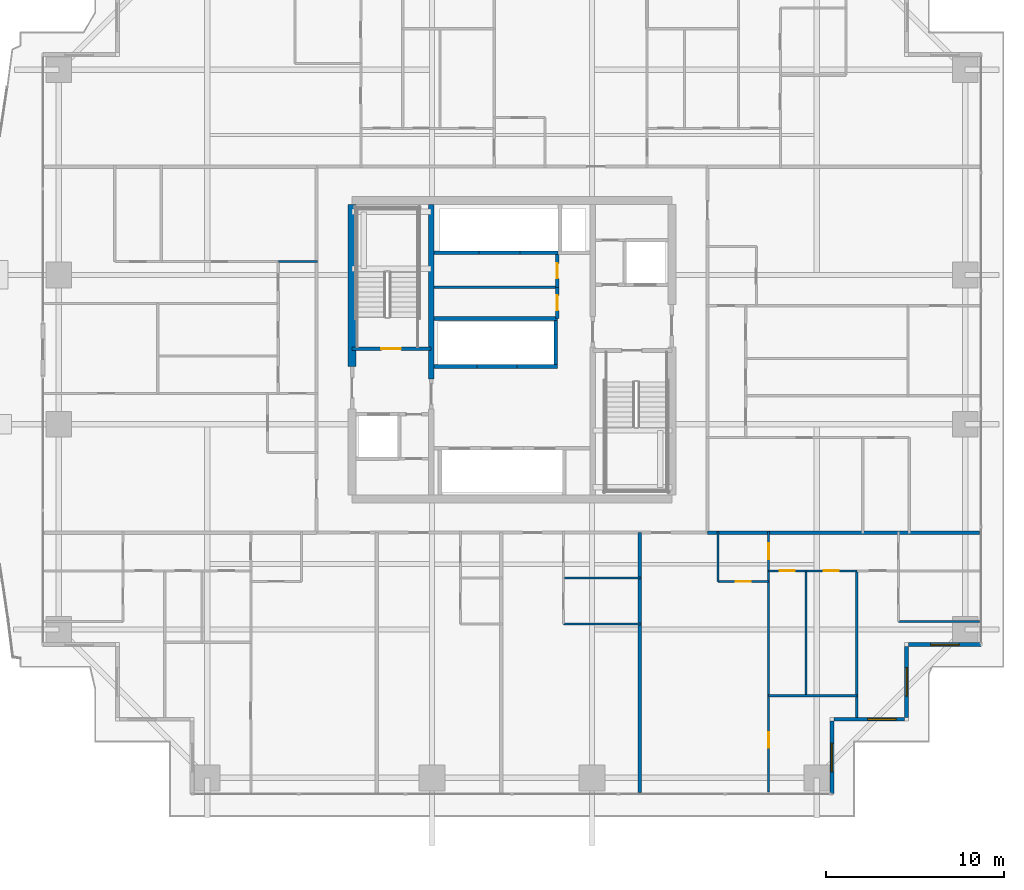
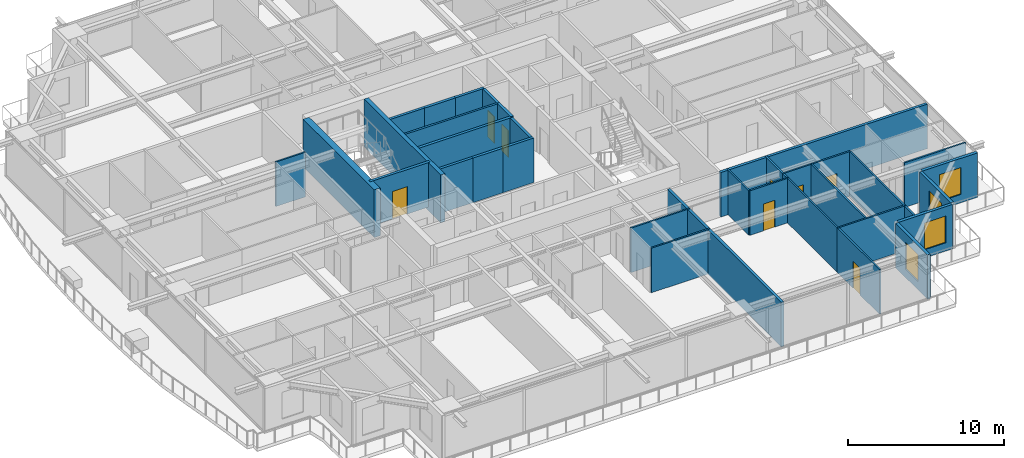
# One storey, part 25 of 35: 34 walls, 8 doors, 4 windows, 12 openings.
"""IFC4 building model written with IfcOpenShell, lengths in metres."""

from ifc_helpers import new_model, si_unit, direction, frame, frame_2d, origin, place, context, subcontext, project, spatial, rectangle, extrude, source, transform, mapped, material, layer, layer_set, type_object, element, fill, save


model = new_model("IFC4")

# Units and contexts
model_context = context("Model", 3, precision=1e-05, world=origin(), true_north=direction((0.0, 1.0)))
body_context = subcontext(model_context, "Body", "Model", "MODEL_VIEW")
ifc_project = project(units=[si_unit("LENGTHUNIT", "METRE"), si_unit("AREAUNIT", "SQUARE_METRE"), si_unit("VOLUMEUNIT", "CUBIC_METRE"), si_unit("PLANEANGLEUNIT", "RADIAN"), si_unit("MASSUNIT", "GRAM", prefix="KILO")], contexts=[model_context])

# Site, building, storey
site_placement = place(None, origin())
site = spatial("IfcSite", under=ifc_project, at=site_placement, CompositionType="ELEMENT")
building_placement = place(site_placement, origin())
building = spatial("IfcBuilding", under=site, at=building_placement, Name="Serunith Strait Residences", CompositionType="ELEMENT")
storey_placement = place(building_placement, frame((0.0, 0.0, 56.699951171875)))
storey = spatial("IfcBuildingStorey", under=building, at=storey_placement, Name="L13", CompositionType="ELEMENT", Elevation=56.699951171875)

# Wall, opening, window
ifc_material_1 = material(Name="Pale-Champagne Aluminium Insulated Panel", Category="aluminium")
ifc_layer_1 = layer(ifc_material_1, 0.219970703125, Name="Pale-Champagne Aluminium Insulated Panel")
ifc_layer_set_1 = layer_set([ifc_layer_1], Name="Pale-Champagne Aluminium Insulated Panel")
wall_type_1 = type_object("IfcWallType", Name="EW-ALUM-220", PredefinedType="ELEMENTEDWALL", material=ifc_layer_set_1)
wall_1_placement = place(storey_placement, frame((50.39990234375, 0.199951171875, 0.0), z_axis=(0.0, 0.0, 1.0), x_axis=(0.0, 1.0, 0.0)))
wall_1 = element("IfcWall", 1, at=wall_1_placement, inside=storey, type_object=wall_type_1, Name="L13 Girih Serrated Corner Wall 02", PredefinedType="ELEMENTEDWALL", context=body_context, shape_type="SweptSolid", body=[
    extrude(rectangle(XDim=4.090087890625, YDim=0.219970703125, at=frame_2d((2.044921875, 0.0))), origin(), (0.0, 0.0, 1.0), 3.47509765625),
])
opening_1_placement = place(wall_1_placement, frame((1.2451171875, 0.0, 0.64990234375)))
opening_1 = element("IfcOpeningElement", 2, at=opening_1_placement, cuts=wall_1, Name="Opening W-02", PredefinedType="OPENING", context=body_context, shape_type="SweptSolid", body=[
    extrude(rectangle(XDim=1.60009765625, YDim=2.10009765625, at=frame_2d((0.800048828125, 1.050048828125))), frame((0.0, 0.1201171875, 0.0), z_axis=(0.0, -1.0, 0.0), x_axis=(1.0, 0.0, 0.0)), (0.0, 0.0, 1.0), 0.239990234375),
])
ifc_material_2 = material(Name="Ceramic-Fritted Operable Aluminium Window Glass", Category="aluminium")
window_type = type_object("IfcWindowType", Name="WIN-C2", PartitioningType="DOUBLE_PANEL_VERTICAL", PredefinedType="WINDOW", material=ifc_material_2)
shared_shape_1 = source(origin(), body_context, "Body", "SweptSolid", [
    extrude(rectangle(XDim=1.60009765625, YDim=2.10009765625, at=frame_2d((0.800048828125, 1.050048828125))), frame((0.0, 0.030029296875, 0.0), z_axis=(0.0, -1.0, 0.0), x_axis=(1.0, 0.0, 0.0)), (0.0, 0.0, 1.0), 0.06005859375),
])
window_1_placement = place(opening_1_placement, origin())
window_1 = element("IfcWindow", 3, at=window_1_placement, inside=storey, type_object=window_type, Name="L13 Corner Operable Fritted Window 02", OverallHeight=2.10009765625, OverallWidth=1.60009765625, PartitioningType="SINGLE_PANEL", PredefinedType="WINDOW", context=body_context, shape_type="MappedRepresentation", body=[
    mapped(shared_shape_1, transform((0.0, 0.0, 0.0), scale=1.0)),
])
fill(opening_1, window_1)

wall_2_placement = place(storey_placement, frame((50.510009765625, 4.39990234375, 0.0), z_axis=(0.0, 0.0, 1.0), x_axis=(1.0, 0.0, 0.0)))
wall_2 = element("IfcWall", 4, at=wall_2_placement, inside=storey, type_object=wall_type_1, Name="L13 Girih Serrated Corner Wall 03", PredefinedType="ELEMENTEDWALL", context=body_context, shape_type="SweptSolid", body=[
    extrude(rectangle(XDim=3.97998046875, YDim=0.219970703125, at=frame_2d((1.989990234375, 0.0))), origin(), (0.0, 0.0, 1.0), 3.47509765625),
])
opening_2_placement = place(wall_2_placement, frame((1.904052734375, 0.0, 0.64990234375)))
opening_2 = element("IfcOpeningElement", 5, at=opening_2_placement, cuts=wall_2, Name="Opening W-02", PredefinedType="OPENING", context=body_context, shape_type="SweptSolid", body=[
    extrude(rectangle(XDim=1.60009765625, YDim=2.10009765625, at=frame_2d((0.800048828125, 1.050048828125))), frame((0.0, 0.1201171875, 0.0), z_axis=(0.0, -1.0, 0.0), x_axis=(1.0, 0.0, 0.0)), (0.0, 0.0, 1.0), 0.239990234375),
])
window_2_placement = place(opening_2_placement, origin())
window_2 = element("IfcWindow", 6, at=window_2_placement, inside=storey, type_object=window_type, Name="L13 Corner Operable Fritted Window 03", OverallHeight=2.10009765625, OverallWidth=1.60009765625, PartitioningType="SINGLE_PANEL", PredefinedType="WINDOW", context=body_context, shape_type="MappedRepresentation", body=[
    mapped(shared_shape_1, transform((0.0, 0.0, 0.0), scale=1.0)),
])
fill(opening_2, window_2)

wall_3_placement = place(storey_placement, frame((54.60009765625, 4.510009765625, 0.0), z_axis=(0.0, 0.0, 1.0), x_axis=(0.0, 1.0, 0.0)))
wall_3 = element("IfcWall", 7, at=wall_3_placement, inside=storey, type_object=wall_type_1, Name="L13 Girih Serrated Corner Wall 04", PredefinedType="ELEMENTEDWALL", context=body_context, shape_type="SweptSolid", body=[
    extrude(rectangle(XDim=3.97998046875, YDim=0.219970703125, at=frame_2d((1.989990234375, 0.0))), origin(), (0.0, 0.0, 1.0), 3.47509765625),
])
opening_3_placement = place(wall_3_placement, frame((1.18994140625, 0.0, 0.64990234375)))
opening_3 = element("IfcOpeningElement", 8, at=opening_3_placement, cuts=wall_3, Name="Opening W-02", PredefinedType="OPENING", context=body_context, shape_type="SweptSolid", body=[
    extrude(rectangle(XDim=1.60009765625, YDim=2.10009765625, at=frame_2d((0.800048828125, 1.050048828125))), frame((0.0, 0.1201171875, 0.0), z_axis=(0.0, -1.0, 0.0), x_axis=(1.0, 0.0, 0.0)), (0.0, 0.0, 1.0), 0.239990234375),
])
window_3_placement = place(opening_3_placement, origin())
window_3 = element("IfcWindow", 9, at=window_3_placement, inside=storey, type_object=window_type, Name="L13 Corner Operable Fritted Window 04", OverallHeight=2.10009765625, OverallWidth=1.60009765625, PartitioningType="SINGLE_PANEL", PredefinedType="WINDOW", context=body_context, shape_type="MappedRepresentation", body=[
    mapped(shared_shape_1, transform((0.0, 0.0, 0.0), scale=1.0)),
])
fill(opening_3, window_3)

wall_4_placement = place(storey_placement, frame((54.7099609375, 8.60009765625, 0.0), z_axis=(0.0, 0.0, 1.0), x_axis=(1.0, 0.0, 0.0)))
wall_4 = element("IfcWall", 10, at=wall_4_placement, inside=storey, type_object=wall_type_1, Name="L13 Girih Serrated Corner Wall 05", PredefinedType="ELEMENTEDWALL", context=body_context, shape_type="SweptSolid", body=[
    extrude(rectangle(XDim=4.090087890625, YDim=0.219970703125, at=frame_2d((2.044921875, 0.0))), origin(), (0.0, 0.0, 1.0), 3.47509765625),
])
opening_4_placement = place(wall_4_placement, frame((1.2451171875, 0.0, 0.64990234375)))
opening_4 = element("IfcOpeningElement", 11, at=opening_4_placement, cuts=wall_4, Name="Opening W-02", PredefinedType="OPENING", context=body_context, shape_type="SweptSolid", body=[
    extrude(rectangle(XDim=1.60009765625, YDim=2.10009765625, at=frame_2d((0.800048828125, 1.050048828125))), frame((0.0, 0.1201171875, 0.0), z_axis=(0.0, -1.0, 0.0), x_axis=(1.0, 0.0, 0.0)), (0.0, 0.0, 1.0), 0.239990234375),
])
window_4_placement = place(opening_4_placement, origin())
window_4 = element("IfcWindow", 12, at=window_4_placement, inside=storey, type_object=window_type, Name="L13 Corner Operable Fritted Window 05", OverallHeight=2.10009765625, OverallWidth=1.60009765625, PartitioningType="SINGLE_PANEL", PredefinedType="WINDOW", context=body_context, shape_type="MappedRepresentation", body=[
    mapped(shared_shape_1, transform((0.0, 0.0, 0.0), scale=1.0)),
])
fill(opening_4, window_4)

# Walls
ifc_material_3 = material(Name="Fire-rated masonry service closet wall", Category="masonry")
ifc_layer_2 = layer(ifc_material_3, 0.14990234375, Name="Fire-rated masonry service closet wall")
ifc_layer_set_2 = layer_set([ifc_layer_2], Name="Fire-rated masonry service closet wall")
wall_type_2 = type_object("IfcWallType", Name="IW-BOH-150", PredefinedType="PARTITIONING", material=ifc_layer_set_2)
wall_5_placement = place(storey_placement, frame((28.0, 28.699951171875, 0.0), z_axis=(0.0, 0.0, 1.0), x_axis=(1.0, 0.0, 0.0)))
element("IfcWall", 13, at=wall_5_placement, inside=storey, type_object=wall_type_2, Name="L13 Partition Wall 016", PredefinedType="PARTITIONING", context=body_context, shape_type="SweptSolid", body=[
    extrude(rectangle(XDim=6.949951171875, YDim=0.14990234375, at=frame_2d((3.47509765625, 0.0))), origin(), (0.0, 0.0, 1.0), 3.489990234375),
])
ifc_material_4 = material(Name="Lightweight steel-stud gypsum partition", Category="steel")
ifc_layer_3 = layer(ifc_material_4, 0.1201171875, Name="Lightweight steel-stud gypsum partition")
ifc_layer_set_3 = layer_set([ifc_layer_3], Name="Lightweight steel-stud gypsum partition")
wall_type_3 = type_object("IfcWallType", Name="IW-PART-120", PredefinedType="PARTITIONING", material=ifc_layer_set_3)
for number, where, z_axis, x_axis, name in (
    (14, (35.300048828125, 12.35009765625, 0.0), (0.0, 0.0, 1.0), (1.0, 0.0, 0.0), "L13 Partition Wall 049"),
    (15, (35.300048828125, 9.75, 0.0), (0.0, 0.0, 1.0), (1.0, 0.0, 0.0), "L13 Partition Wall 050"),
):
    element("IfcWall", number, at=place(storey_placement, frame(where, z_axis=z_axis, x_axis=x_axis)), inside=storey, type_object=wall_type_3, Name=name, PredefinedType="PARTITIONING", context=body_context, shape_type="SweptSolid", body=[
        extrude(rectangle(XDim=4.35986328125, YDim=0.1201171875, at=frame_2d((2.179931640625, 0.0))), origin(), (0.0, 0.0, 1.0), 3.489990234375),
    ])

# Wall, opening, door
wall_6_placement = place(storey_placement, frame((43.989990234375, 12.14990234375, 0.0), z_axis=(0.0, 0.0, 1.0), x_axis=(1.0, 0.0, 0.0)))
wall_6 = element("IfcWall", 16, at=wall_6_placement, inside=storey, type_object=wall_type_3, Name="L13 Partition Wall 051", PredefinedType="PARTITIONING", context=body_context, shape_type="SweptSolid", body=[
    extrude(rectangle(XDim=2.85009765625, YDim=0.1201171875, at=frame_2d((1.425048828125, 0.0))), origin(), (0.0, 0.0, 1.0), 3.489990234375),
])
opening_5_placement = place(wall_6_placement, frame((1.0, 0.0, 0.0)))
opening_5 = element("IfcOpeningElement", 17, at=opening_5_placement, cuts=wall_6, Name="Opening D-RM850", PredefinedType="OPENING", context=body_context, shape_type="SweptSolid", body=[
    extrude(rectangle(XDim=0.85009765625, YDim=2.10009765625, at=frame_2d((0.425048828125, 1.050048828125))), frame((0.0, 0.070068359375, 0.0), z_axis=(0.0, -1.0, 0.0), x_axis=(1.0, 0.0, 0.0)), (0.0, 0.0, 1.0), 0.14013671875),
])
ifc_material_5 = material(Name="Engineered timber flush study and kitchen door", Category="wood")
door_type_1 = type_object("IfcDoorType", Name="ID-ROOM-850", OperationType="NOTDEFINED", PredefinedType="DOOR", material=ifc_material_5)
shared_shape_2 = source(origin(), body_context, "Body", "SweptSolid", [
    extrude(rectangle(XDim=0.85009765625, YDim=2.10009765625, at=frame_2d((0.425048828125, 1.050048828125))), frame((0.0, 0.02490234375, 0.0), z_axis=(0.0, -1.0, 0.0), x_axis=(1.0, 0.0, 0.0)), (0.0, 0.0, 1.0), 0.050048828125),
])
door_1_placement = place(opening_5_placement, origin())
door_1 = element("IfcDoor", 18, at=door_1_placement, inside=storey, type_object=door_type_1, Name="L13 Kitchen 1304 Door", OperationType="SINGLE_SWING_RIGHT", OverallHeight=2.10009765625, OverallWidth=0.85009765625, PredefinedType="DOOR", context=body_context, shape_type="MappedRepresentation", body=[
    mapped(shared_shape_2, transform((0.0, 0.0, 0.0), scale=1.0)),
])
fill(opening_5, door_1)

# Wall
wall_7_placement = place(storey_placement, frame((43.989990234375, 12.14990234375, 0.0), z_axis=(0.0, 0.0, 1.0), x_axis=(0.0, 1.0, 0.0)))
element("IfcWall", 19, at=wall_7_placement, inside=storey, type_object=wall_type_3, Name="L13 Partition Wall 052", PredefinedType="PARTITIONING", context=body_context, shape_type="SweptSolid", body=[
    extrude(rectangle(XDim=2.81005859375, YDim=0.1201171875, at=frame_2d((1.405029296875, 0.0))), origin(), (0.0, 0.0, 1.0), 3.489990234375),
])

# Wall, opening, door
wall_8_placement = place(storey_placement, frame((46.840087890625, 12.75, 0.0), z_axis=(0.0, 0.0, 1.0), x_axis=(0.0, 1.0, 0.0)))
wall_8 = element("IfcWall", 20, at=wall_8_placement, inside=storey, type_object=wall_type_3, Name="L13 Partition Wall 053", PredefinedType="PARTITIONING", context=body_context, shape_type="SweptSolid", body=[
    extrude(rectangle(XDim=2.2099609375, YDim=0.1201171875, at=frame_2d((1.10498046875, 0.0))), origin(), (0.0, 0.0, 1.0), 3.489990234375),
])
opening_6_placement = place(wall_8_placement, frame((0.655029296875, 0.0, 0.0)))
opening_6 = element("IfcOpeningElement", 21, at=opening_6_placement, cuts=wall_8, Name="Opening D-RM900", PredefinedType="OPENING", context=body_context, shape_type="SweptSolid", body=[
    extrude(rectangle(XDim=0.89990234375, YDim=2.10009765625, at=frame_2d((0.449951171875, 1.050048828125))), frame((0.0, 0.070068359375, 0.0), z_axis=(0.0, -1.0, 0.0), x_axis=(1.0, 0.0, 0.0)), (0.0, 0.0, 1.0), 0.14013671875),
])
ifc_material_6 = material(Name="Engineered timber flush bedroom door", Category="wood")
door_type_2 = type_object("IfcDoorType", Name="ID-ROOM-900", OperationType="NOTDEFINED", PredefinedType="DOOR", material=ifc_material_6)
shared_shape_3 = source(origin(), body_context, "Body", "SweptSolid", [
    extrude(rectangle(XDim=0.89990234375, YDim=2.10009765625, at=frame_2d((0.449951171875, 1.050048828125))), frame((0.0, 0.02490234375, 0.0), z_axis=(0.0, -1.0, 0.0), x_axis=(1.0, 0.0, 0.0)), (0.0, 0.0, 1.0), 0.050048828125),
])
door_2_placement = place(opening_6_placement, origin())
door_2 = element("IfcDoor", 22, at=door_2_placement, inside=storey, type_object=door_type_2, Name="L13 Hall E 1304 Door", OperationType="SINGLE_SWING_LEFT", OverallHeight=2.10009765625, OverallWidth=0.89990234375, PredefinedType="DOOR", context=body_context, shape_type="MappedRepresentation", body=[
    mapped(shared_shape_3, transform((0.0, 0.0, 0.0), scale=1.0)),
])
fill(opening_6, door_2)

wall_9_placement = place(storey_placement, frame((46.840087890625, 0.294921875, 0.0), z_axis=(0.0, 0.0, 1.0), x_axis=(0.0, 1.0, 0.0)))
wall_9 = element("IfcWall", 23, at=wall_9_placement, inside=storey, type_object=wall_type_3, Name="L13 Partition Wall 054", PredefinedType="PARTITIONING", context=body_context, shape_type="SweptSolid", body=[
    extrude(rectangle(XDim=5.424072265625, YDim=0.1201171875, at=frame_2d((2.7119140625, 0.0))), origin(), (0.0, 0.0, 1.0), 3.489990234375),
])
opening_7_placement = place(wall_9_placement, frame((2.488037109375, 0.0, 0.0)))
opening_7 = element("IfcOpeningElement", 24, at=opening_7_placement, cuts=wall_9, Name="Opening D-RM900", PredefinedType="OPENING", context=body_context, shape_type="SweptSolid", body=[
    extrude(rectangle(XDim=0.89990234375, YDim=2.10009765625, at=frame_2d((0.449951171875, 1.050048828125))), frame((0.0, 0.070068359375, 0.0), z_axis=(0.0, -1.0, 0.0), x_axis=(1.0, 0.0, 0.0)), (0.0, 0.0, 1.0), 0.14013671875),
])
door_3_placement = place(opening_7_placement, origin())
door_3 = element("IfcDoor", 25, at=door_3_placement, inside=storey, type_object=door_type_2, Name="L13 Study 1 1304 Door", OperationType="SINGLE_SWING_RIGHT", OverallHeight=2.10009765625, OverallWidth=0.89990234375, PredefinedType="DOOR", context=body_context, shape_type="MappedRepresentation", body=[
    mapped(shared_shape_3, transform((0.0, 0.0, 0.0), scale=1.0)),
])
fill(opening_7, door_3)

# Walls
wall_10_placement = place(storey_placement, frame((46.840087890625, 5.720947265625, 0.0), z_axis=(0.0, 0.0, 1.0), x_axis=(0.0, 1.0, 0.0)))
element("IfcWall", 26, at=wall_10_placement, inside=storey, type_object=wall_type_3, Name="L13 Partition Wall 055", PredefinedType="PARTITIONING", context=body_context, shape_type="SweptSolid", body=[
    extrude(rectangle(XDim=7.027099609375, YDim=0.1201171875, at=frame_2d((3.513671875, 0.0))), origin(), (0.0, 0.0, 1.0), 3.489990234375),
])
wall_11_placement = place(storey_placement, frame((46.840087890625, 5.718994140625, 0.0), z_axis=(0.0, 0.0, 1.0), x_axis=(1.0, 0.0, 0.0)))
element("IfcWall", 27, at=wall_11_placement, inside=storey, type_object=wall_type_3, Name="L13 Partition Wall 056", PredefinedType="PARTITIONING", context=body_context, shape_type="SweptSolid", body=[
    extrude(rectangle(XDim=4.9599609375, YDim=0.1201171875, at=frame_2d((2.47998046875, 0.0))), origin(), (0.0, 0.0, 1.0), 3.489990234375),
])
wall_12_placement = place(storey_placement, frame((51.800048828125, 4.4951171875, 0.0), z_axis=(0.0, 0.0, 1.0), x_axis=(0.0, 1.0, 0.0)))
element("IfcWall", 28, at=wall_12_placement, inside=storey, type_object=wall_type_3, Name="L13 Partition Wall 057", PredefinedType="PARTITIONING", context=body_context, shape_type="SweptSolid", body=[
    extrude(rectangle(XDim=8.2548828125, YDim=0.1201171875, at=frame_2d((4.12744140625, 0.0))), origin(), (0.0, 0.0, 1.0), 3.489990234375),
])
wall_13_placement = place(storey_placement, frame((48.93994140625, 5.718994140625, 0.0), z_axis=(0.0, 0.0, 1.0), x_axis=(0.0, 1.0, 0.0)))
element("IfcWall", 29, at=wall_13_placement, inside=storey, type_object=wall_type_3, Name="L13 Partition Wall 058", PredefinedType="PARTITIONING", context=body_context, shape_type="SweptSolid", body=[
    extrude(rectangle(XDim=7.031005859375, YDim=0.1201171875, at=frame_2d((3.515625, 0.0))), origin(), (0.0, 0.0, 1.0), 3.489990234375),
])

# Wall, opening, door
wall_14_placement = place(storey_placement, frame((46.840087890625, 12.75, 0.0), z_axis=(0.0, 0.0, 1.0), x_axis=(1.0, 0.0, 0.0)))
wall_14 = element("IfcWall", 30, at=wall_14_placement, inside=storey, type_object=wall_type_3, Name="L13 Partition Wall 059", PredefinedType="PARTITIONING", context=body_context, shape_type="SweptSolid", body=[
    extrude(rectangle(XDim=2.099853515625, YDim=0.1201171875, at=frame_2d((1.0498046875, 0.0))), origin(), (0.0, 0.0, 1.0), 3.489990234375),
])
opening_8_placement = place(wall_14_placement, frame((0.625, 0.0, 0.0)))
opening_8 = element("IfcOpeningElement", 31, at=opening_8_placement, cuts=wall_14, Name="Opening D-BTH850", PredefinedType="OPENING", context=body_context, shape_type="SweptSolid", body=[
    extrude(rectangle(XDim=0.85009765625, YDim=2.10009765625, at=frame_2d((0.425048828125, 1.050048828125))), frame((0.0, 0.070068359375, 0.0), z_axis=(0.0, -1.0, 0.0), x_axis=(1.0, 0.0, 0.0)), (0.0, 0.0, 1.0), 0.14013671875),
])
ifc_material_7 = material(Name="Moisture-resistant timber bathroom door", Category="wood")
door_type_3 = type_object("IfcDoorType", Name="ID-BATH-850", OperationType="NOTDEFINED", PredefinedType="DOOR", material=ifc_material_7)
door_4_placement = place(opening_8_placement, origin())
door_4 = element("IfcDoor", 32, at=door_4_placement, inside=storey, type_object=door_type_3, Name="L13 Bathroom 1304 Door", OperationType="SINGLE_SWING_LEFT", OverallHeight=2.10009765625, OverallWidth=0.85009765625, PredefinedType="DOOR", context=body_context, shape_type="MappedRepresentation", body=[
    mapped(shared_shape_2, transform((0.0, 0.0, 0.0), scale=1.0)),
])
fill(opening_8, door_4)

wall_15_placement = place(storey_placement, frame((48.94189453125, 12.75, 0.0), z_axis=(0.0, 0.0, 1.0), x_axis=(1.0, 0.0, 0.0)))
wall_15 = element("IfcWall", 33, at=wall_15_placement, inside=storey, type_object=wall_type_3, Name="L13 Partition Wall 060", PredefinedType="PARTITIONING", context=body_context, shape_type="SweptSolid", body=[
    extrude(rectangle(XDim=2.858154296875, YDim=0.1201171875, at=frame_2d((1.42919921875, 0.0))), origin(), (0.0, 0.0, 1.0), 3.489990234375),
])
opening_9_placement = place(wall_15_placement, frame((1.00390625, 0.0, 0.0)))
opening_9 = element("IfcOpeningElement", 34, at=opening_9_placement, cuts=wall_15, Name="Opening D-RM850", PredefinedType="OPENING", context=body_context, shape_type="SweptSolid", body=[
    extrude(rectangle(XDim=0.85009765625, YDim=2.10009765625, at=frame_2d((0.425048828125, 1.050048828125))), frame((0.0, 0.070068359375, 0.0), z_axis=(0.0, -1.0, 0.0), x_axis=(1.0, 0.0, 0.0)), (0.0, 0.0, 1.0), 0.14013671875),
])
door_5_placement = place(opening_9_placement, origin())
door_5 = element("IfcDoor", 35, at=door_5_placement, inside=storey, type_object=door_type_1, Name="L13 Study 1304 Door", OperationType="SINGLE_SWING_RIGHT", OverallHeight=2.10009765625, OverallWidth=0.85009765625, PredefinedType="DOOR", context=body_context, shape_type="MappedRepresentation", body=[
    mapped(shared_shape_2, transform((0.0, 0.0, 0.0), scale=1.0)),
])
fill(opening_9, door_5)

# Walls
wall_16_placement = place(storey_placement, frame((54.14990234375, 9.89404296875, 0.0), z_axis=(0.0, 0.0, 1.0), x_axis=(1.0, 0.0, 0.0)))
element("IfcWall", 36, at=wall_16_placement, inside=storey, type_object=wall_type_3, Name="L13 Partition Wall 062", PredefinedType="PARTITIONING", context=body_context, shape_type="SweptSolid", body=[
    extrude(rectangle(XDim=4.55517578125, YDim=0.1201171875, at=frame_2d((2.277587890625, 0.0))), origin(), (0.0, 0.0, 1.0), 3.489990234375),
])
wall_17_placement = place(storey_placement, frame((19.251953125, 30.14990234375, 0.0), z_axis=(0.0, 0.0, 1.0), x_axis=(1.0, 0.0, 0.0)))
element("IfcWall", 37, at=wall_17_placement, inside=storey, type_object=wall_type_3, Name="L13 Partition Wall 113", PredefinedType="PARTITIONING", context=body_context, shape_type="SweptSolid", body=[
    extrude(rectangle(XDim=2.2080078125, YDim=0.1201171875, at=frame_2d((1.10400390625, 0.0))), origin(), (0.0, 0.0, 1.0), 3.489990234375),
])
ifc_material_8 = material(Name="Twin-stud acoustic gypsum board partition")
ifc_layer_4 = layer(ifc_material_8, 0.199951171875, Name="Twin-stud acoustic gypsum board partition")
ifc_layer_set_4 = layer_set([ifc_layer_4], Name="Twin-stud acoustic gypsum board partition")
wall_type_4 = type_object("IfcWallType", Name="IW-PARTY-200", PredefinedType="PARTITIONING", material=ifc_layer_set_4)
wall_18_placement = place(storey_placement, frame((39.60009765625, 0.281982421875, 0.0), z_axis=(0.0, 0.0, 1.0), x_axis=(0.0, 1.0, 0.0)))
element("IfcWall", 38, at=wall_18_placement, inside=storey, type_object=wall_type_4, Name="L13 Partition Wall 019", PredefinedType="PARTITIONING", context=body_context, shape_type="SweptSolid", body=[
    extrude(rectangle(XDim=14.617919921875, YDim=0.199951171875, at=frame_2d((7.30908203125, 0.0))), origin(), (0.0, 0.0, 1.0), 3.489990234375),
])
wall_19_placement = place(storey_placement, frame((43.39990234375, 14.89990234375, 0.0), z_axis=(0.0, 0.0, 1.0), x_axis=(1.0, 0.0, 0.0)))
element("IfcWall", 39, at=wall_19_placement, inside=storey, type_object=wall_type_4, Name="L13 Partition Wall 021", PredefinedType="PARTITIONING", context=body_context, shape_type="SweptSolid", body=[
    extrude(rectangle(XDim=15.318115234375, YDim=0.199951171875, at=frame_2d((7.6591796875, 0.0))), origin(), (0.0, 0.0, 1.0), 3.489990234375),
])

# Wall, opening, door
ifc_material_9 = material(Name="Autoclaved aerated concrete blockwork", Category="masonry")
ifc_layer_5 = layer(ifc_material_9, 0.199951171875, Name="Autoclaved aerated concrete blockwork")
ifc_layer_set_5 = layer_set([ifc_layer_5], Name="Autoclaved aerated concrete blockwork")
wall_type_5 = type_object("IfcWallType", Name="IW-SHAFT-200", PredefinedType="STANDARD", material=ifc_layer_set_5)
wall_20_placement = place(storey_placement, frame((23.39990234375, 25.25, 0.0), z_axis=(0.0, 0.0, 1.0), x_axis=(1.0, 0.0, 0.0)))
wall_20 = element("IfcWall", 40, at=wall_20_placement, inside=storey, type_object=wall_type_5, Name="L13 ST-1 South Shaft Wall", PredefinedType="STANDARD", context=body_context, shape_type="SweptSolid", body=[
    extrude(rectangle(XDim=4.4501953125, YDim=0.199951171875, at=frame_2d((2.22509765625, 0.0))), origin(), (0.0, 0.0, 1.0), 3.489990234375),
])
opening_10_placement = place(wall_20_placement, frame((1.64990234375, 0.0, 0.0)))
opening_10 = element("IfcOpeningElement", 41, at=opening_10_placement, cuts=wall_20, Name="Opening FD-1100", PredefinedType="OPENING", context=body_context, shape_type="SweptSolid", body=[
    extrude(rectangle(XDim=1.10009765625, YDim=2.14990234375, at=frame_2d((0.550048828125, 1.074951171875))), frame((0.0, 0.10986328125, 0.0), z_axis=(0.0, -1.0, 0.0), x_axis=(1.0, 0.0, 0.0)), (0.0, 0.0, 1.0), 0.219970703125),
])
ifc_material_10 = material(Name="Galvanised steel fire door leaf", Category="steel")
door_type_4 = type_object("IfcDoorType", Name="FD-STAIR-1100", OperationType="NOTDEFINED", PredefinedType="DOOR", material=ifc_material_10)
shared_shape_4 = source(origin(), body_context, "Body", "SweptSolid", [
    extrude(rectangle(XDim=1.10009765625, YDim=2.14990234375, at=frame_2d((0.550048828125, 1.074951171875))), frame((0.0, 0.02490234375, 0.0), z_axis=(0.0, -1.0, 0.0), x_axis=(1.0, 0.0, 0.0)), (0.0, 0.0, 1.0), 0.050048828125),
])
door_6_placement = place(opening_10_placement, origin())
door_6 = element("IfcDoor", 42, at=door_6_placement, inside=storey, type_object=door_type_4, Name="L13 ST-1 Escape Stair Door", OperationType="SINGLE_SWING_LEFT", OverallHeight=2.14990234375, OverallWidth=1.10009765625, PredefinedType="DOOR", context=body_context, shape_type="MappedRepresentation", body=[
    mapped(shared_shape_4, transform((0.0, 0.0, 0.0), scale=1.0)),
])
fill(opening_10, door_6)

# Walls
wall_21_placement = place(storey_placement, frame((28.0, 24.25, 0.0), z_axis=(0.0, 0.0, 1.0), x_axis=(1.0, 0.0, 0.0)))
element("IfcWall", 43, at=wall_21_placement, inside=storey, type_object=wall_type_5, Name="L13 PL-4 South Shaft Wall", PredefinedType="STANDARD", context=body_context, shape_type="SweptSolid", body=[
    extrude(rectangle(XDim=2.425048828125, YDim=0.199951171875, at=frame_2d((1.21240234375, 0.0))), origin(), (0.0, 0.0, 1.0), 3.489990234375),
])
wall_22_placement = place(storey_placement, frame((30.425048828125, 24.25, 0.0), z_axis=(0.0, 0.0, 1.0), x_axis=(1.0, 0.0, 0.0)))
element("IfcWall", 44, at=wall_22_placement, inside=storey, type_object=wall_type_5, Name="L13 PL-5 South Shaft Wall", PredefinedType="STANDARD", context=body_context, shape_type="SweptSolid", body=[
    extrude(rectangle(XDim=2.25, YDim=0.199951171875, at=frame_2d((1.125, 0.0))), origin(), (0.0, 0.0, 1.0), 3.489990234375),
])
wall_23_placement = place(storey_placement, frame((32.675048828125, 24.25, 0.0), z_axis=(0.0, 0.0, 1.0), x_axis=(1.0, 0.0, 0.0)))
element("IfcWall", 45, at=wall_23_placement, inside=storey, type_object=wall_type_5, Name="L13 PL-6 South Shaft Wall", PredefinedType="STANDARD", context=body_context, shape_type="SweptSolid", body=[
    extrude(rectangle(XDim=2.27490234375, YDim=0.199951171875, at=frame_2d((1.137451171875, 0.0))), origin(), (0.0, 0.0, 1.0), 3.489990234375),
])
wall_24_placement = place(storey_placement, frame((34.85009765625, 24.35009765625, 0.0), z_axis=(0.0, 0.0, 1.0), x_axis=(0.0, 1.0, 0.0)))
element("IfcWall", 46, at=wall_24_placement, inside=storey, type_object=wall_type_5, Name="L13 PL-6 East Shaft Wall", PredefinedType="STANDARD", context=body_context, shape_type="SweptSolid", body=[
    extrude(rectangle(XDim=2.5, YDim=0.199951171875, at=frame_2d((1.25, 0.0))), origin(), (0.0, 0.0, 1.0), 3.489990234375),
])
wall_25_placement = place(storey_placement, frame((28.0, 30.64990234375, 0.0), z_axis=(0.0, 0.0, 1.0), x_axis=(1.0, 0.0, 0.0)))
element("IfcWall", 47, at=wall_25_placement, inside=storey, type_object=wall_type_5, Name="L13 PL-7 South Shaft Wall", PredefinedType="STANDARD", context=body_context, shape_type="SweptSolid", body=[
    extrude(rectangle(XDim=2.550048828125, YDim=0.199951171875, at=frame_2d((1.27490234375, 0.0))), origin(), (0.0, 0.0, 1.0), 3.489990234375),
])
wall_26_placement = place(storey_placement, frame((30.550048828125, 30.64990234375, 0.0), z_axis=(0.0, 0.0, 1.0), x_axis=(1.0, 0.0, 0.0)))
element("IfcWall", 48, at=wall_26_placement, inside=storey, type_object=wall_type_5, Name="L13 PL-8 South Shaft Wall", PredefinedType="STANDARD", context=body_context, shape_type="SweptSolid", body=[
    extrude(rectangle(XDim=2.300048828125, YDim=0.199951171875, at=frame_2d((1.14990234375, 0.0))), origin(), (0.0, 0.0, 1.0), 3.489990234375),
])
wall_27_placement = place(storey_placement, frame((32.85009765625, 30.64990234375, 0.0), z_axis=(0.0, 0.0, 1.0), x_axis=(1.0, 0.0, 0.0)))
element("IfcWall", 49, at=wall_27_placement, inside=storey, type_object=wall_type_5, Name="L13 PL-9 South Shaft Wall", PredefinedType="STANDARD", context=body_context, shape_type="SweptSolid", body=[
    extrude(rectangle(XDim=2.14990234375, YDim=0.199951171875, at=frame_2d((1.074951171875, 0.0))), origin(), (0.0, 0.0, 1.0), 3.489990234375),
])
wall_28_placement = place(storey_placement, frame((28.0, 26.949951171875, 0.0), z_axis=(0.0, 0.0, 1.0), x_axis=(1.0, 0.0, 0.0)))
element("IfcWall", 50, at=wall_28_placement, inside=storey, type_object=wall_type_5, Name="L13 Partition Wall 011", PredefinedType="STANDARD", context=body_context, shape_type="SweptSolid", body=[
    extrude(rectangle(XDim=6.949951171875, YDim=0.199951171875, at=frame_2d((3.47509765625, 0.0))), origin(), (0.0, 0.0, 1.0), 3.489990234375),
])

# Wall, opening, door
wall_29_placement = place(storey_placement, frame((34.949951171875, 26.949951171875, 0.0), z_axis=(0.0, 0.0, 1.0), x_axis=(0.0, 1.0, 0.0)))
wall_29 = element("IfcWall", 51, at=wall_29_placement, inside=storey, type_object=wall_type_5, Name="L13 Partition Wall 014", PredefinedType="STANDARD", context=body_context, shape_type="SweptSolid", body=[
    extrude(rectangle(XDim=1.75, YDim=0.199951171875, at=frame_2d((0.875, 0.0))), origin(), (0.0, 0.0, 1.0), 3.489990234375),
])
opening_11_placement = place(wall_29_placement, frame((0.449951171875, 0.0, 0.0)))
opening_11 = element("IfcOpeningElement", 52, at=opening_11_placement, cuts=wall_29, Name="Opening FD-850", PredefinedType="OPENING", context=body_context, shape_type="SweptSolid", body=[
    extrude(rectangle(XDim=0.85009765625, YDim=2.10009765625, at=frame_2d((0.425048828125, 1.050048828125))), frame((0.0, 0.10986328125, 0.0), z_axis=(0.0, -1.0, 0.0), x_axis=(1.0, 0.0, 0.0)), (0.0, 0.0, 1.0), 0.219970703125),
])
ifc_material_11 = material(Name="Powder-coated steel service closet door", Category="steel")
door_type_5 = type_object("IfcDoorType", Name="FD-BOH-850", OperationType="NOTDEFINED", PredefinedType="DOOR", material=ifc_material_11)
door_7_placement = place(opening_11_placement, origin())
door_7 = element("IfcDoor", 53, at=door_7_placement, inside=storey, type_object=door_type_5, Name="L13 Chilled Water Pump Door", OperationType="SINGLE_SWING_LEFT", OverallHeight=2.10009765625, OverallWidth=0.85009765625, PredefinedType="DOOR", context=body_context, shape_type="MappedRepresentation", body=[
    mapped(shared_shape_2, transform((0.0, 0.0, 0.0), scale=1.0)),
])
fill(opening_11, door_7)

wall_30_placement = place(storey_placement, frame((34.949951171875, 28.701904296875, 0.0), z_axis=(0.0, 0.0, 1.0), x_axis=(0.0, 1.0, 0.0)))
wall_30 = element("IfcWall", 54, at=wall_30_placement, inside=storey, type_object=wall_type_5, Name="L13 Partition Wall 015", PredefinedType="STANDARD", context=body_context, shape_type="SweptSolid", body=[
    extrude(rectangle(XDim=1.84814453125, YDim=0.199951171875, at=frame_2d((0.924072265625, 0.0))), origin(), (0.0, 0.0, 1.0), 3.489990234375),
])
opening_12_placement = place(wall_30_placement, frame((0.4990234375, 0.0, 0.0)))
opening_12 = element("IfcOpeningElement", 55, at=opening_12_placement, cuts=wall_30, Name="Opening FD-850", PredefinedType="OPENING", context=body_context, shape_type="SweptSolid", body=[
    extrude(rectangle(XDim=0.85009765625, YDim=2.10009765625, at=frame_2d((0.425048828125, 1.050048828125))), frame((0.0, 0.10986328125, 0.0), z_axis=(0.0, -1.0, 0.0), x_axis=(1.0, 0.0, 0.0)), (0.0, 0.0, 1.0), 0.219970703125),
])
door_8_placement = place(opening_12_placement, origin())
door_8 = element("IfcDoor", 56, at=door_8_placement, inside=storey, type_object=door_type_5, Name="L13 Smoke Control Fan Door", OperationType="SINGLE_SWING_RIGHT", OverallHeight=2.10009765625, OverallWidth=0.85009765625, PredefinedType="DOOR", context=body_context, shape_type="MappedRepresentation", body=[
    mapped(shared_shape_2, transform((0.0, 0.0, 0.0), scale=1.0)),
])
fill(opening_12, door_8)

# Walls
ifc_material_12 = material(Name="Concrete C80/95", Category="concrete")
ifc_layer_6 = layer(ifc_material_12, 0.300048828125, Name="Concrete C80/95")
ifc_layer_set_6 = layer_set([ifc_layer_6], Name="Concrete C80/95")
wall_type_6 = type_object("IfcWallType", Name="SW-300-C80", PredefinedType="SHEAR", material=ifc_layer_set_6)
wall_31_placement = place(storey_placement, frame((27.85009765625, 23.550048828125, -0.260009765625), z_axis=(0.0, 0.0, 1.0), x_axis=(0.0, 1.0, 0.0)))
element("IfcWall", 57, at=wall_31_placement, inside=storey, type_object=wall_type_6, Name="L13 Core Internal West Web North Pier", PredefinedType="SHEAR", context=body_context, shape_type="SweptSolid", body=[
    extrude(rectangle(XDim=9.824951171875, YDim=0.300048828125, at=frame_2d((4.91259765625, 0.0))), origin(), (0.0, 0.0, 1.0), 3.748046875),
])
ifc_layer_7 = layer(ifc_material_12, 0.449951171875, Name="Concrete C80/95")
ifc_layer_set_7 = layer_set([ifc_layer_7], Name="Concrete C80/95")
wall_type_7 = type_object("IfcWallType", Name="SW-450-C80", PredefinedType="SHEAR", material=ifc_layer_set_7)
wall_32_placement = place(storey_placement, frame((23.39990234375, 24.25, -0.260009765625), z_axis=(0.0, 0.0, 1.0), x_axis=(0.0, 1.0, 0.0)))
element("IfcWall", 58, at=wall_32_placement, inside=storey, type_object=wall_type_7, Name="L13 Core West Shear Wall North Pier", PredefinedType="SHEAR", context=body_context, shape_type="SweptSolid", body=[
    extrude(rectangle(XDim=9.125, YDim=0.449951171875, at=frame_2d((4.5625, 0.0))), origin(), (0.0, 0.0, 1.0), 3.748046875),
])

save(model, "model.ifc")
